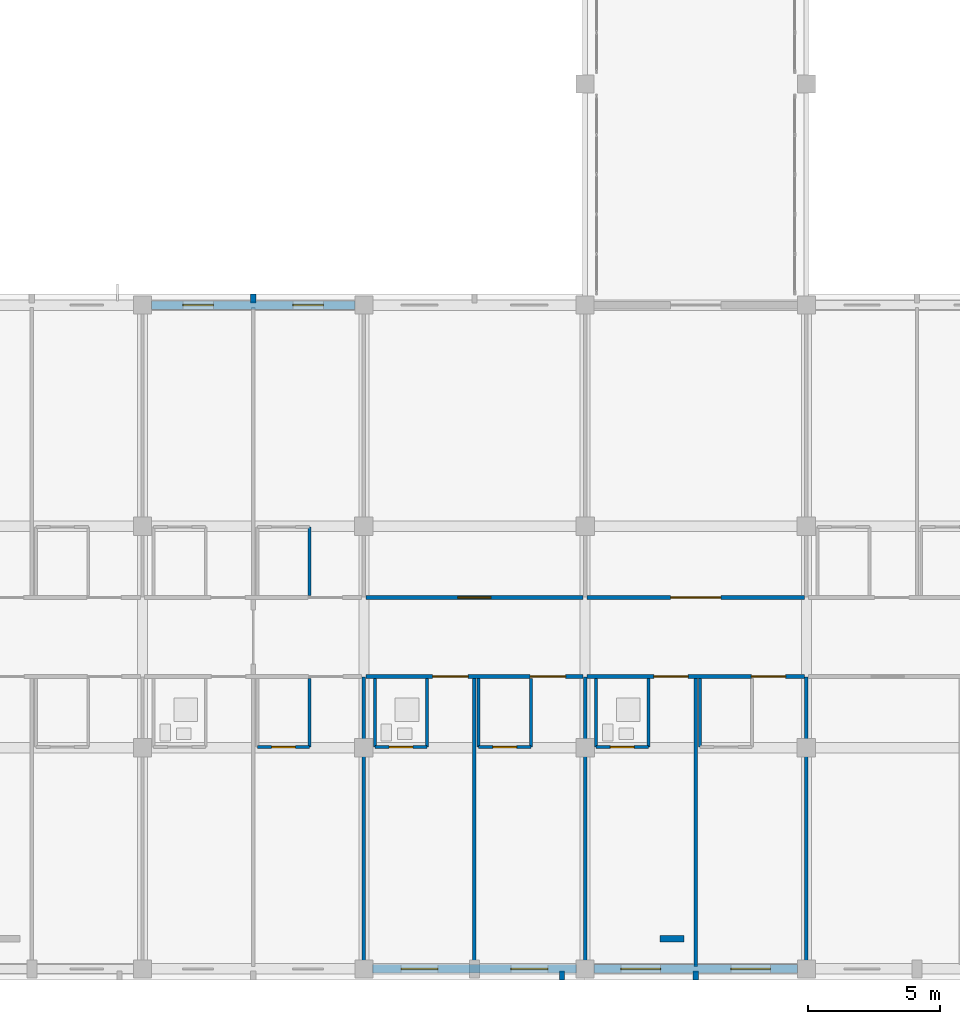
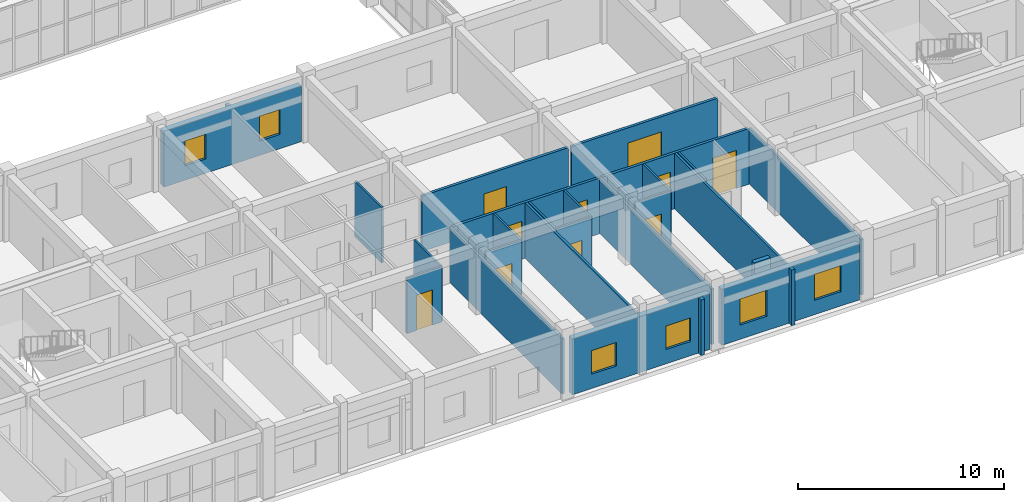
# One storey, part 110 of 140: 29 walls, 10 doors, 6 windows, 16 openings.
"""IFC4 building model written with IfcOpenShell, lengths in metres."""

from ifc_helpers import new_model, si_unit, direction, frame, frame_2d, origin, place, context, subcontext, project, spatial, rectangle, extrude, material, layer, layer_set, type_object, element, fill, save


model = new_model("IFC4")

# Units and contexts
model_context = context("Model", 3, precision=1e-05, world=origin(), true_north=direction((0.0, 1.0)))
body_context = subcontext(model_context, "Body", "Model", "MODEL_VIEW")
ifc_project = project(units=[si_unit("LENGTHUNIT", "METRE"), si_unit("AREAUNIT", "SQUARE_METRE"), si_unit("VOLUMEUNIT", "CUBIC_METRE"), si_unit("PLANEANGLEUNIT", "RADIAN"), si_unit("MASSUNIT", "GRAM", prefix="KILO")], contexts=[model_context])

# Site, building, storey
site_placement = place(None, origin())
site = spatial("IfcSite", under=ifc_project, at=site_placement, CompositionType="ELEMENT")
building_placement = place(site_placement, origin())
building = spatial("IfcBuilding", under=site, at=building_placement, Name="Trelvath General Hospital", CompositionType="ELEMENT")
storey_placement = place(building_placement, frame((0.0, 0.0, 16.199951171875)))
storey = spatial("IfcBuildingStorey", under=building, at=storey_placement, Name="L04", CompositionType="ELEMENT", Elevation=16.199951171875)

# Walls
ifc_material_1 = material(Name="Precast concrete C40/50", Category="concrete")
ifc_layer_1 = layer(ifc_material_1, 0.199951171875)
ifc_layer_set_1 = layer_set([ifc_layer_1], Name="Precast concrete C40/50")
wall_type_1 = type_object("IfcWallType", Name="BriseSoleilRib 200", PredefinedType="ELEMENTEDWALL", material=ifc_layer_set_1)
for number, where, z_axis, x_axis, name in (
    (1, (63.0, 25.27490234375, 0.0), (0.0, 0.0, 1.0), (0.0, 1.0, 0.0), "Precast Concrete Brise-Soleil Rib Fin L04-327"),
    (2, (74.723876953125, -0.074951171875, 0.0), (0.0, 0.0, 1.0), (0.0, -1.0, 0.0), "Precast Concrete Brise-Soleil Rib Fin L04-330"),
    (3, (79.800048828125, -0.074951171875, 0.0), (0.0, 0.0, 1.0), (0.0, -1.0, 0.0), "Precast Concrete Brise-Soleil Rib Fin L04-334"),
):
    element("IfcWall", number, at=place(storey_placement, frame(where, z_axis=z_axis, x_axis=x_axis)), inside=storey, type_object=wall_type_1, Name=name, PredefinedType="ELEMENTEDWALL", context=body_context, shape_type="SweptSolid", body=[
        extrude(rectangle(XDim=0.340087890625, YDim=0.199951171875, at=frame_2d((0.169921875, 0.0))), origin(), (0.0, 0.0, 1.0), 3.300048828125),
    ])

# Wall, openings, doors
ifc_material_2 = material(Name="Gypsum acoustic steel-stud partition", Category="steel")
ifc_layer_2 = layer(ifc_material_2, 0.14990234375)
ifc_layer_set_2 = layer_set([ifc_layer_2], Name="Gypsum acoustic steel-stud partition")
wall_type_2 = type_object("IfcWallType", Name="ClinicalPartition 150", PredefinedType="PARTITIONING", material=ifc_layer_set_2)
wall_1_placement = place(storey_placement, frame((67.280029296875, 11.10009765625, 0.0), z_axis=(0.0, 0.0, 1.0), x_axis=(1.0, 0.0, 0.0)))
wall_1 = element("IfcWall", 4, at=wall_1_placement, inside=storey, type_object=wall_type_2, Name="Corridor Partition L04-1485", PredefinedType="PARTITIONING", context=body_context, shape_type="SweptSolid", body=[
    extrude(rectangle(XDim=8.239990234375, YDim=0.14990234375, at=frame_2d((4.1201171875, 0.0))), origin(), (0.0, 0.0, 1.0), 3.300048828125),
])
opening_1_placement = place(wall_1_placement, frame((2.530029296875, 0.0, 0.0)))
opening_1 = element("IfcOpeningElement", 5, at=opening_1_placement, cuts=wall_1, Name="Opening D-4-1031", PredefinedType="OPENING", context=body_context, shape_type="SweptSolid", body=[
    extrude(rectangle(XDim=1.35009765625, YDim=2.25, at=frame_2d((0.675048828125, 1.125))), frame((0.0, 0.0849609375, 0.0), z_axis=(0.0, -1.0, 0.0), x_axis=(1.0, 0.0, 0.0)), (0.0, 0.0, 1.0), 0.169921875),
])
opening_2_placement = place(wall_1_placement, frame((6.22998046875, 0.0, 0.0)))
opening_2 = element("IfcOpeningElement", 6, at=opening_2_placement, cuts=wall_1, Name="Opening D-4-1032", PredefinedType="OPENING", context=body_context, shape_type="SweptSolid", body=[
    extrude(rectangle(XDim=1.35009765625, YDim=2.25, at=frame_2d((0.675048828125, 1.125))), frame((0.0, 0.0849609375, 0.0), z_axis=(0.0, -1.0, 0.0), x_axis=(1.0, 0.0, 0.0)), (0.0, 0.0, 1.0), 0.169921875),
])
ifc_material_3 = material(Name="Airtight isolation bed door")
door_type_1 = type_object("IfcDoorType", Name="Door PatientIso 1350x2250", OperationType="NOTDEFINED", PredefinedType="DOOR", material=ifc_material_3)
door_1_placement = place(opening_1_placement, origin())
door_1 = element("IfcDoor", 7, at=door_1_placement, inside=storey, type_object=door_type_1, Name="Patient Room Door L04-1031", OperationType="SINGLE_SWING_RIGHT", OverallHeight=2.25, OverallWidth=1.35009765625, PredefinedType="DOOR", context=body_context, shape_type="SweptSolid", body=[
    extrude(rectangle(XDim=1.35009765625, YDim=2.25, at=frame_2d((0.675048828125, 1.125))), frame((0.0, 0.02490234375, 0.0), z_axis=(0.0, -1.0, 0.0), x_axis=(1.0, 0.0, 0.0)), (0.0, 0.0, 1.0), 0.050048828125),
])
fill(opening_1, door_1)
door_2_placement = place(opening_2_placement, origin())
door_2 = element("IfcDoor", 8, at=door_2_placement, inside=storey, type_object=door_type_1, Name="Patient Room Door L04-1032", OperationType="SINGLE_SWING_LEFT", OverallHeight=2.25, OverallWidth=1.35009765625, PredefinedType="DOOR", context=body_context, shape_type="SweptSolid", body=[
    extrude(rectangle(XDim=1.35009765625, YDim=2.25, at=frame_2d((0.675048828125, 1.125))), frame((0.0, 0.02490234375, 0.0), z_axis=(0.0, -1.0, 0.0), x_axis=(1.0, 0.0, 0.0)), (0.0, 0.0, 1.0), 0.050048828125),
])
fill(opening_2, door_2)

# Wall, opening, door
wall_2_placement = place(storey_placement, frame((75.52001953125, 14.10009765625, 0.0), z_axis=(0.0, 0.0, 1.0), x_axis=(-1.0, 0.0, 0.0)))
wall_2 = element("IfcWall", 9, at=wall_2_placement, inside=storey, type_object=wall_type_2, Name="Corridor Partition N L04-1493", PredefinedType="PARTITIONING", context=body_context, shape_type="SweptSolid", body=[
    extrude(rectangle(XDim=8.239990234375, YDim=0.14990234375, at=frame_2d((4.1201171875, 0.0))), origin(), (0.0, 0.0, 1.0), 3.300048828125),
])
opening_3_placement = place(wall_2_placement, frame((3.4951171875, 0.0, 0.0)))
opening_3 = element("IfcOpeningElement", 10, at=opening_3_placement, cuts=wall_2, Name="Opening D-4-1035", PredefinedType="OPENING", context=body_context, shape_type="SweptSolid", body=[
    extrude(rectangle(XDim=1.25, YDim=2.199951171875, at=frame_2d((0.625, 1.10009765625))), frame((0.0, 0.0849609375, 0.0), z_axis=(0.0, -1.0, 0.0), x_axis=(1.0, 0.0, 0.0)), (0.0, 0.0, 1.0), 0.169921875),
])
ifc_material_4 = material(Name="Acoustic hospital timber leaf", Category="wood")
door_type_2 = type_object("IfcDoorType", Name="Door Treatment 1250x2200", OperationType="NOTDEFINED", PredefinedType="DOOR", material=ifc_material_4)
door_3_placement = place(opening_3_placement, origin())
door_3 = element("IfcDoor", 11, at=door_3_placement, inside=storey, type_object=door_type_2, Name="Clinical Room Door L04-1035", OperationType="SINGLE_SWING_RIGHT", OverallHeight=2.199951171875, OverallWidth=1.25, PredefinedType="DOOR", context=body_context, shape_type="SweptSolid", body=[
    extrude(rectangle(XDim=1.25, YDim=2.199951171875, at=frame_2d((0.625, 1.10009765625))), frame((0.0, 0.02490234375, 0.0), z_axis=(0.0, -1.0, 0.0), x_axis=(1.0, 0.0, 0.0)), (0.0, 0.0, 1.0), 0.050048828125),
])
fill(opening_3, door_3)

# Wall, openings, doors
wall_3_placement = place(storey_placement, frame((75.679931640625, 11.10009765625, 0.0), z_axis=(0.0, 0.0, 1.0), x_axis=(1.0, 0.0, 0.0)))
wall_3 = element("IfcWall", 12, at=wall_3_placement, inside=storey, type_object=wall_type_2, Name="Corridor Partition L04-1496", PredefinedType="PARTITIONING", context=body_context, shape_type="SweptSolid", body=[
    extrude(rectangle(XDim=8.239990234375, YDim=0.14990234375, at=frame_2d((4.1201171875, 0.0))), origin(), (0.0, 0.0, 1.0), 3.300048828125),
])
opening_4_placement = place(wall_3_placement, frame((2.530029296875, 0.0, 0.0)))
opening_4 = element("IfcOpeningElement", 13, at=opening_4_placement, cuts=wall_3, Name="Opening D-4-1036", PredefinedType="OPENING", context=body_context, shape_type="SweptSolid", body=[
    extrude(rectangle(XDim=1.300048828125, YDim=2.25, at=frame_2d((0.64990234375, 1.125))), frame((0.0, 0.0849609375, 0.0), z_axis=(0.0, -1.0, 0.0), x_axis=(1.0, 0.0, 0.0)), (0.0, 0.0, 1.0), 0.169921875),
])
opening_5_placement = place(wall_3_placement, frame((6.22998046875, 0.0, 0.0)))
opening_5 = element("IfcOpeningElement", 14, at=opening_5_placement, cuts=wall_3, Name="Opening D-4-1037", PredefinedType="OPENING", context=body_context, shape_type="SweptSolid", body=[
    extrude(rectangle(XDim=1.300048828125, YDim=2.25, at=frame_2d((0.64990234375, 1.125))), frame((0.0, 0.0849609375, 0.0), z_axis=(0.0, -1.0, 0.0), x_axis=(1.0, 0.0, 0.0)), (0.0, 0.0, 1.0), 0.169921875),
])
ifc_material_5 = material(Name="Hospital bed-leaf timber door", Category="wood")
door_type_3 = type_object("IfcDoorType", Name="Door PatientBed 1300x2250", OperationType="NOTDEFINED", PredefinedType="DOOR", material=ifc_material_5)
door_4_placement = place(opening_4_placement, origin())
door_4 = element("IfcDoor", 15, at=door_4_placement, inside=storey, type_object=door_type_3, Name="Patient Room Door L04-1036", OperationType="SINGLE_SWING_LEFT", OverallHeight=2.25, OverallWidth=1.300048828125, PredefinedType="DOOR", context=body_context, shape_type="SweptSolid", body=[
    extrude(rectangle(XDim=1.300048828125, YDim=2.25, at=frame_2d((0.64990234375, 1.125))), frame((0.0, 0.02490234375, 0.0), z_axis=(0.0, -1.0, 0.0), x_axis=(1.0, 0.0, 0.0)), (0.0, 0.0, 1.0), 0.050048828125),
])
fill(opening_4, door_4)
door_5_placement = place(opening_5_placement, origin())
door_5 = element("IfcDoor", 16, at=door_5_placement, inside=storey, type_object=door_type_3, Name="Patient Room Door L04-1037", OperationType="SINGLE_SWING_RIGHT", OverallHeight=2.25, OverallWidth=1.300048828125, PredefinedType="DOOR", context=body_context, shape_type="SweptSolid", body=[
    extrude(rectangle(XDim=1.300048828125, YDim=2.25, at=frame_2d((0.64990234375, 1.125))), frame((0.0, 0.02490234375, 0.0), z_axis=(0.0, -1.0, 0.0), x_axis=(1.0, 0.0, 0.0)), (0.0, 0.0, 1.0), 0.050048828125),
])
fill(opening_5, door_5)

# Wall, opening, door
wall_4_placement = place(storey_placement, frame((83.919921875, 14.10009765625, 0.0), z_axis=(0.0, 0.0, 1.0), x_axis=(-1.0, 0.0, 0.0)))
wall_4 = element("IfcWall", 17, at=wall_4_placement, inside=storey, type_object=wall_type_2, Name="Corridor Partition N L04-1505", PredefinedType="PARTITIONING", context=body_context, shape_type="SweptSolid", body=[
    extrude(rectangle(XDim=8.239990234375, YDim=0.14990234375, at=frame_2d((4.1201171875, 0.0))), origin(), (0.0, 0.0, 1.0), 3.300048828125),
])
opening_6_placement = place(wall_4_placement, frame((3.169921875, 0.0, 0.0)))
opening_6 = element("IfcOpeningElement", 18, at=opening_6_placement, cuts=wall_4, Name="Opening D-4-1040", PredefinedType="OPENING", context=body_context, shape_type="SweptSolid", body=[
    extrude(rectangle(XDim=1.89990234375, YDim=2.39990234375, at=frame_2d((0.949951171875, 1.199951171875))), frame((0.0, 0.0849609375, 0.0), z_axis=(0.0, -1.0, 0.0), x_axis=(1.0, 0.0, 0.0)), (0.0, 0.0, 1.0), 0.169921875),
])
ifc_material_6 = material(Name="Thermally broken glazed aluminium pair", Category="aluminium")
door_type_4 = type_object("IfcDoorType", Name="Door BridgeEntry 1900x2400", OperationType="DOUBLE_SWING_LEFT", PredefinedType="DOOR", material=ifc_material_6)
door_6_placement = place(opening_6_placement, origin())
door_6 = element("IfcDoor", 19, at=door_6_placement, inside=storey, type_object=door_type_4, Name="Bridge Lounge Corridor Door N L04-1040", OperationType="DOUBLE_SWING_LEFT", OverallHeight=2.39990234375, OverallWidth=1.89990234375, PredefinedType="DOOR", context=body_context, shape_type="SweptSolid", body=[
    extrude(rectangle(XDim=1.89990234375, YDim=2.39990234375, at=frame_2d((0.949951171875, 1.199951171875))), frame((0.0, 0.02490234375, 0.0), z_axis=(0.0, -1.0, 0.0), x_axis=(1.0, 0.0, 0.0)), (0.0, 0.0, 1.0), 0.050048828125),
])
fill(opening_6, door_6)

# Wall
ifc_material_7 = material(Name="Moisture-resistant tile partition")
ifc_layer_3 = layer(ifc_material_7, 0.110107421875)
ifc_layer_set_3 = layer_set([ifc_layer_3], Name="Moisture-resistant tile partition")
wall_type_3 = type_object("IfcWallType", Name="EnSuiteWetWall 110", PredefinedType="PARTITIONING", material=ifc_layer_set_3)
wall_5_placement = place(storey_placement, frame((65.139892578125, 8.419921875, 0.0), z_axis=(0.0, 0.0, 1.0), x_axis=(0.0, 1.0, 0.0)))
element("IfcWall", 20, at=wall_5_placement, inside=storey, type_object=wall_type_3, Name="En-Suite E Wall L04-1472", PredefinedType="PARTITIONING", context=body_context, shape_type="SweptSolid", body=[
    extrude(rectangle(XDim=2.610107421875, YDim=0.110107421875, at=frame_2d((1.30517578125, 0.0))), origin(), (0.0, 0.0, 1.0), 3.300048828125),
])

# Wall, opening, door
wall_6_placement = place(storey_placement, frame((63.159912109375, 8.419921875, 0.0), z_axis=(0.0, 0.0, 1.0), x_axis=(1.0, 0.0, 0.0)))
wall_6 = element("IfcWall", 21, at=wall_6_placement, inside=storey, type_object=wall_type_3, Name="En-Suite Bathroom Partition L04-1473", PredefinedType="PARTITIONING", context=body_context, shape_type="SweptSolid", body=[
    extrude(rectangle(XDim=1.97998046875, YDim=0.110107421875, at=frame_2d((0.989990234375, 0.0))), origin(), (0.0, 0.0, 1.0), 3.300048828125),
])
opening_7_placement = place(wall_6_placement, frame((0.5400390625, 0.0, 0.0)))
opening_7 = element("IfcOpeningElement", 22, at=opening_7_placement, cuts=wall_6, Name="Opening D-4-1025", PredefinedType="OPENING", context=body_context, shape_type="SweptSolid", body=[
    extrude(rectangle(XDim=0.89990234375, YDim=2.10009765625, at=frame_2d((0.449951171875, 1.050048828125))), frame((0.0, 0.06494140625, 0.0), z_axis=(0.0, -1.0, 0.0), x_axis=(1.0, 0.0, 0.0)), (0.0, 0.0, 1.0), 0.130126953125),
])
ifc_material_8 = material(Name="Moisture-sealed timber leaf", Category="wood")
door_type_5 = type_object("IfcDoorType", Name="Door EnSuite 900x2100", OperationType="NOTDEFINED", PredefinedType="DOOR", material=ifc_material_8)
door_7_placement = place(opening_7_placement, origin())
door_7 = element("IfcDoor", 23, at=door_7_placement, inside=storey, type_object=door_type_5, Name="En-Suite Bathroom Door L04-1025", OperationType="SINGLE_SWING_RIGHT", OverallHeight=2.10009765625, OverallWidth=0.89990234375, PredefinedType="DOOR", context=body_context, shape_type="SweptSolid", body=[
    extrude(rectangle(XDim=0.89990234375, YDim=2.10009765625, at=frame_2d((0.449951171875, 1.050048828125))), frame((0.0, 0.02490234375, 0.0), z_axis=(0.0, -1.0, 0.0), x_axis=(1.0, 0.0, 0.0)), (0.0, 0.0, 1.0), 0.050048828125),
])
fill(opening_7, door_7)

# Walls
for number, where, z_axis, x_axis, name in (
    (24, (65.139892578125, 14.169921875, 0.0), (0.0, 0.0, 1.0), (0.0, 1.0, 0.0), "En-Suite E Wall N L04-1480"),
    (25, (67.6201171875, 8.419921875, 0.0), (0.0, 0.0, 1.0), (0.0, 1.0, 0.0), "En-Suite W Wall L04-1487"),
    (26, (69.60009765625, 8.419921875, 0.0), (0.0, 0.0, 1.0), (0.0, 1.0, 0.0), "En-Suite E Wall L04-1488"),
):
    element("IfcWall", number, at=place(storey_placement, frame(where, z_axis=z_axis, x_axis=x_axis)), inside=storey, type_object=wall_type_3, Name=name, PredefinedType="PARTITIONING", context=body_context, shape_type="SweptSolid", body=[
        extrude(rectangle(XDim=2.610107421875, YDim=0.110107421875, at=frame_2d((1.30517578125, 0.0))), origin(), (0.0, 0.0, 1.0), 3.300048828125),
    ])

# Wall, opening, door
wall_7_placement = place(storey_placement, frame((67.6201171875, 8.419921875, 0.0), z_axis=(0.0, 0.0, 1.0), x_axis=(1.0, 0.0, 0.0)))
wall_7 = element("IfcWall", 27, at=wall_7_placement, inside=storey, type_object=wall_type_3, Name="En-Suite Bathroom Partition L04-1489", PredefinedType="PARTITIONING", context=body_context, shape_type="SweptSolid", body=[
    extrude(rectangle(XDim=1.97998046875, YDim=0.110107421875, at=frame_2d((0.989990234375, 0.0))), origin(), (0.0, 0.0, 1.0), 3.300048828125),
])
opening_8_placement = place(wall_7_placement, frame((0.5400390625, 0.0, 0.0)))
opening_8 = element("IfcOpeningElement", 28, at=opening_8_placement, cuts=wall_7, Name="Opening D-4-1033", PredefinedType="OPENING", context=body_context, shape_type="SweptSolid", body=[
    extrude(rectangle(XDim=0.89990234375, YDim=2.10009765625, at=frame_2d((0.449951171875, 1.050048828125))), frame((0.0, 0.06494140625, 0.0), z_axis=(0.0, -1.0, 0.0), x_axis=(1.0, 0.0, 0.0)), (0.0, 0.0, 1.0), 0.130126953125),
])
door_8_placement = place(opening_8_placement, origin())
door_8 = element("IfcDoor", 29, at=door_8_placement, inside=storey, type_object=door_type_5, Name="En-Suite Bathroom Door L04-1033", OperationType="SINGLE_SWING_RIGHT", OverallHeight=2.10009765625, OverallWidth=0.89990234375, PredefinedType="DOOR", context=body_context, shape_type="SweptSolid", body=[
    extrude(rectangle(XDim=0.89990234375, YDim=2.10009765625, at=frame_2d((0.449951171875, 1.050048828125))), frame((0.0, 0.02490234375, 0.0), z_axis=(0.0, -1.0, 0.0), x_axis=(1.0, 0.0, 0.0)), (0.0, 0.0, 1.0), 0.050048828125),
])
fill(opening_8, door_8)

# Walls
for number, where, z_axis, x_axis, name in (
    (30, (71.56005859375, 8.419921875, 0.0), (0.0, 0.0, 1.0), (0.0, 1.0, 0.0), "En-Suite W Wall L04-1490"),
    (31, (73.5400390625, 8.419921875, 0.0), (0.0, 0.0, 1.0), (0.0, 1.0, 0.0), "En-Suite E Wall L04-1491"),
):
    element("IfcWall", number, at=place(storey_placement, frame(where, z_axis=z_axis, x_axis=x_axis)), inside=storey, type_object=wall_type_3, Name=name, PredefinedType="PARTITIONING", context=body_context, shape_type="SweptSolid", body=[
        extrude(rectangle(XDim=2.610107421875, YDim=0.110107421875, at=frame_2d((1.30517578125, 0.0))), origin(), (0.0, 0.0, 1.0), 3.300048828125),
    ])

# Wall, opening, door
wall_8_placement = place(storey_placement, frame((71.56005859375, 8.419921875, 0.0), z_axis=(0.0, 0.0, 1.0), x_axis=(1.0, 0.0, 0.0)))
wall_8 = element("IfcWall", 32, at=wall_8_placement, inside=storey, type_object=wall_type_3, Name="En-Suite Bathroom Partition L04-1492", PredefinedType="PARTITIONING", context=body_context, shape_type="SweptSolid", body=[
    extrude(rectangle(XDim=1.97998046875, YDim=0.110107421875, at=frame_2d((0.989990234375, 0.0))), origin(), (0.0, 0.0, 1.0), 3.300048828125),
])
opening_9_placement = place(wall_8_placement, frame((0.5400390625, 0.0, 0.0)))
opening_9 = element("IfcOpeningElement", 33, at=opening_9_placement, cuts=wall_8, Name="Opening D-4-1034", PredefinedType="OPENING", context=body_context, shape_type="SweptSolid", body=[
    extrude(rectangle(XDim=0.89990234375, YDim=2.10009765625, at=frame_2d((0.449951171875, 1.050048828125))), frame((0.0, 0.06494140625, 0.0), z_axis=(0.0, -1.0, 0.0), x_axis=(1.0, 0.0, 0.0)), (0.0, 0.0, 1.0), 0.130126953125),
])
door_9_placement = place(opening_9_placement, origin())
door_9 = element("IfcDoor", 34, at=door_9_placement, inside=storey, type_object=door_type_5, Name="En-Suite Bathroom Door L04-1034", OperationType="SINGLE_SWING_LEFT", OverallHeight=2.10009765625, OverallWidth=0.89990234375, PredefinedType="DOOR", context=body_context, shape_type="SweptSolid", body=[
    extrude(rectangle(XDim=0.89990234375, YDim=2.10009765625, at=frame_2d((0.449951171875, 1.050048828125))), frame((0.0, 0.02490234375, 0.0), z_axis=(0.0, -1.0, 0.0), x_axis=(1.0, 0.0, 0.0)), (0.0, 0.0, 1.0), 0.050048828125),
])
fill(opening_9, door_9)

# Walls
for number, where, z_axis, x_axis, name in (
    (35, (76.02001953125, 8.419921875, 0.0), (0.0, 0.0, 1.0), (0.0, 1.0, 0.0), "En-Suite W Wall L04-1498"),
    (36, (78.0, 8.419921875, 0.0), (0.0, 0.0, 1.0), (0.0, 1.0, 0.0), "En-Suite E Wall L04-1499"),
):
    element("IfcWall", number, at=place(storey_placement, frame(where, z_axis=z_axis, x_axis=x_axis)), inside=storey, type_object=wall_type_3, Name=name, PredefinedType="PARTITIONING", context=body_context, shape_type="SweptSolid", body=[
        extrude(rectangle(XDim=2.610107421875, YDim=0.110107421875, at=frame_2d((1.30517578125, 0.0))), origin(), (0.0, 0.0, 1.0), 3.300048828125),
    ])

# Wall, opening, door
wall_9_placement = place(storey_placement, frame((76.02001953125, 8.419921875, 0.0), z_axis=(0.0, 0.0, 1.0), x_axis=(1.0, 0.0, 0.0)))
wall_9 = element("IfcWall", 37, at=wall_9_placement, inside=storey, type_object=wall_type_3, Name="En-Suite Bathroom Partition L04-1500", PredefinedType="PARTITIONING", context=body_context, shape_type="SweptSolid", body=[
    extrude(rectangle(XDim=1.97998046875, YDim=0.110107421875, at=frame_2d((0.989990234375, 0.0))), origin(), (0.0, 0.0, 1.0), 3.300048828125),
])
opening_10_placement = place(wall_9_placement, frame((0.5400390625, 0.0, 0.0)))
opening_10 = element("IfcOpeningElement", 38, at=opening_10_placement, cuts=wall_9, Name="Opening D-4-1038", PredefinedType="OPENING", context=body_context, shape_type="SweptSolid", body=[
    extrude(rectangle(XDim=0.89990234375, YDim=2.10009765625, at=frame_2d((0.449951171875, 1.050048828125))), frame((0.0, 0.06494140625, 0.0), z_axis=(0.0, -1.0, 0.0), x_axis=(1.0, 0.0, 0.0)), (0.0, 0.0, 1.0), 0.130126953125),
])
door_10_placement = place(opening_10_placement, origin())
door_10 = element("IfcDoor", 39, at=door_10_placement, inside=storey, type_object=door_type_5, Name="En-Suite Bathroom Door L04-1038", OperationType="SINGLE_SWING_LEFT", OverallHeight=2.10009765625, OverallWidth=0.89990234375, PredefinedType="DOOR", context=body_context, shape_type="SweptSolid", body=[
    extrude(rectangle(XDim=0.89990234375, YDim=2.10009765625, at=frame_2d((0.449951171875, 1.050048828125))), frame((0.0, 0.02490234375, 0.0), z_axis=(0.0, -1.0, 0.0), x_axis=(1.0, 0.0, 0.0)), (0.0, 0.0, 1.0), 0.050048828125),
])
fill(opening_10, door_10)

# Wall
wall_10_placement = place(storey_placement, frame((79.9599609375, 8.419921875, 0.0), z_axis=(0.0, 0.0, 1.0), x_axis=(0.0, 1.0, 0.0)))
element("IfcWall", 40, at=wall_10_placement, inside=storey, type_object=wall_type_3, Name="En-Suite W Wall L04-1501", PredefinedType="PARTITIONING", context=body_context, shape_type="SweptSolid", body=[
    extrude(rectangle(XDim=2.610107421875, YDim=0.110107421875, at=frame_2d((1.30517578125, 0.0))), origin(), (0.0, 0.0, 1.0), 3.300048828125),
])

# Wall, openings, windows
ifc_material_9 = material(Name="Concrete C35/45", Category="concrete")
ifc_layer_4 = layer(ifc_material_9, 0.320068359375)
ifc_layer_set_4 = layer_set([ifc_layer_4], Name="Concrete C35/45")
wall_type_4 = type_object("IfcWallType", Name="ExtThermalWall 320", PredefinedType="SOLIDWALL", material=ifc_layer_set_4)
wall_11_placement = place(storey_placement, frame((59.135009765625, 25.199951171875, 0.0), z_axis=(0.0, 0.0, 1.0), x_axis=(1.0, 0.0, 0.0)))
wall_11 = element("IfcWall", 41, at=wall_11_placement, inside=storey, type_object=wall_type_4, Name="Exterior Concrete Wall L04-445", PredefinedType="SOLIDWALL", context=body_context, shape_type="SweptSolid", body=[
    extrude(rectangle(XDim=7.72998046875, YDim=0.320068359375, at=frame_2d((3.864990234375, 0.0))), origin(), (0.0, 0.0, 1.0), 3.320068359375),
])
opening_11_placement = place(wall_11_placement, frame((1.197998046875, 0.0, 0.85009765625)))
opening_11 = element("IfcOpeningElement", 42, at=opening_11_placement, cuts=wall_11, Name="Opening WN-4-739", PredefinedType="OPENING", context=body_context, shape_type="SweptSolid", body=[
    extrude(rectangle(XDim=1.159912109375, YDim=1.47998046875, at=frame_2d((0.580078125, 0.739990234375))), frame((0.0, 0.169921875, 0.0), z_axis=(0.0, -1.0, 0.0), x_axis=(1.0, 0.0, 0.0)), (0.0, 0.0, 1.0), 0.340087890625),
])
opening_12_placement = place(wall_11_placement, frame((5.3720703125, 0.0, 0.85009765625)))
opening_12 = element("IfcOpeningElement", 43, at=opening_12_placement, cuts=wall_11, Name="Opening WN-4-740", PredefinedType="OPENING", context=body_context, shape_type="SweptSolid", body=[
    extrude(rectangle(XDim=1.159912109375, YDim=1.47998046875, at=frame_2d((0.580078125, 0.739990234375))), frame((0.0, 0.169921875, 0.0), z_axis=(0.0, -1.0, 0.0), x_axis=(1.0, 0.0, 0.0)), (0.0, 0.0, 1.0), 0.340087890625),
])
ifc_material_10 = material(Name="Low-E laminated glass", Category="glass")
window_type_1 = type_object("IfcWindowType", Name="Window Cardiology 1160x1480", PartitioningType="SINGLE_PANEL", PredefinedType="WINDOW", material=ifc_material_10)
window_1_placement = place(opening_11_placement, origin())
window_1 = element("IfcWindow", 44, at=window_1_placement, inside=storey, type_object=window_type_1, Name="Solar Reveal Window L04-739", OverallHeight=1.47998046875, OverallWidth=1.159912109375, PartitioningType="SINGLE_PANEL", PredefinedType="WINDOW", context=body_context, shape_type="SweptSolid", body=[
    extrude(rectangle(XDim=1.159912109375, YDim=1.47998046875, at=frame_2d((0.580078125, 0.739990234375))), frame((0.0, 0.030029296875, 0.0), z_axis=(0.0, -1.0, 0.0), x_axis=(1.0, 0.0, 0.0)), (0.0, 0.0, 1.0), 0.06005859375),
])
fill(opening_11, window_1)
window_2_placement = place(opening_12_placement, origin())
window_2 = element("IfcWindow", 45, at=window_2_placement, inside=storey, type_object=window_type_1, Name="Solar Reveal Window L04-740", OverallHeight=1.47998046875, OverallWidth=1.159912109375, PartitioningType="SINGLE_PANEL", PredefinedType="WINDOW", context=body_context, shape_type="SweptSolid", body=[
    extrude(rectangle(XDim=1.159912109375, YDim=1.47998046875, at=frame_2d((0.580078125, 0.739990234375))), frame((0.0, 0.030029296875, 0.0), z_axis=(0.0, -1.0, 0.0), x_axis=(1.0, 0.0, 0.0)), (0.0, 0.0, 1.0), 0.06005859375),
])
fill(opening_12, window_2)

wall_12_placement = place(storey_placement, frame((75.264892578125, 0.0, 0.0), z_axis=(0.0, 0.0, 1.0), x_axis=(-1.0, 0.0, 0.0)))
wall_12 = element("IfcWall", 46, at=wall_12_placement, inside=storey, type_object=wall_type_4, Name="Exterior Concrete Wall L04-448", PredefinedType="SOLIDWALL", context=body_context, shape_type="SweptSolid", body=[
    extrude(rectangle(XDim=7.72998046875, YDim=0.320068359375, at=frame_2d((3.864990234375, 0.0))), origin(), (0.0, 0.0, 1.0), 3.320068359375),
])
opening_13_placement = place(wall_12_placement, frame((1.077880859375, 0.0, 0.85009765625)))
opening_13 = element("IfcOpeningElement", 47, at=opening_13_placement, cuts=wall_12, Name="Opening WN-4-745", PredefinedType="OPENING", context=body_context, shape_type="SweptSolid", body=[
    extrude(rectangle(XDim=1.39990234375, YDim=1.39990234375, at=frame_2d((0.699951171875, 0.699951171875))), frame((0.0, 0.169921875, 0.0), z_axis=(0.0, -1.0, 0.0), x_axis=(1.0, 0.0, 0.0)), (0.0, 0.0, 1.0), 0.340087890625),
])
opening_14_placement = place(wall_12_placement, frame((5.252197265625, 0.0, 0.85009765625)))
opening_14 = element("IfcOpeningElement", 48, at=opening_14_placement, cuts=wall_12, Name="Opening WN-4-746", PredefinedType="OPENING", context=body_context, shape_type="SweptSolid", body=[
    extrude(rectangle(XDim=1.39990234375, YDim=1.39990234375, at=frame_2d((0.699951171875, 0.699951171875))), frame((0.0, 0.169921875, 0.0), z_axis=(0.0, -1.0, 0.0), x_axis=(1.0, 0.0, 0.0)), (0.0, 0.0, 1.0), 0.340087890625),
])
ifc_material_11 = material(Name="Low-E laminated glass", Category="glass")
window_type_2 = type_object("IfcWindowType", Name="Window Surgical 1400x1400", PartitioningType="DOUBLE_PANEL_VERTICAL", PredefinedType="WINDOW", material=ifc_material_11)
window_3_placement = place(opening_13_placement, origin())
window_3 = element("IfcWindow", 49, at=window_3_placement, inside=storey, type_object=window_type_2, Name="Solar Reveal Window L04-745", OverallHeight=1.39990234375, OverallWidth=1.39990234375, PartitioningType="SINGLE_PANEL", PredefinedType="WINDOW", context=body_context, shape_type="SweptSolid", body=[
    extrude(rectangle(XDim=1.39990234375, YDim=1.39990234375, at=frame_2d((0.699951171875, 0.699951171875))), frame((0.0, 0.030029296875, 0.0), z_axis=(0.0, -1.0, 0.0), x_axis=(1.0, 0.0, 0.0)), (0.0, 0.0, 1.0), 0.06005859375),
])
fill(opening_13, window_3)
window_4_placement = place(opening_14_placement, origin())
window_4 = element("IfcWindow", 50, at=window_4_placement, inside=storey, type_object=window_type_2, Name="Solar Reveal Window L04-746", OverallHeight=1.39990234375, OverallWidth=1.39990234375, PartitioningType="SINGLE_PANEL", PredefinedType="WINDOW", context=body_context, shape_type="SweptSolid", body=[
    extrude(rectangle(XDim=1.39990234375, YDim=1.39990234375, at=frame_2d((0.699951171875, 0.699951171875))), frame((0.0, 0.030029296875, 0.0), z_axis=(0.0, -1.0, 0.0), x_axis=(1.0, 0.0, 0.0)), (0.0, 0.0, 1.0), 0.06005859375),
])
fill(opening_14, window_4)

wall_13_placement = place(storey_placement, frame((83.6650390625, 0.0, 0.0), z_axis=(0.0, 0.0, 1.0), x_axis=(-1.0, 0.0, 0.0)))
wall_13 = element("IfcWall", 51, at=wall_13_placement, inside=storey, type_object=wall_type_4, Name="Exterior Concrete Wall L04-452", PredefinedType="SOLIDWALL", context=body_context, shape_type="SweptSolid", body=[
    extrude(rectangle(XDim=7.72998046875, YDim=0.320068359375, at=frame_2d((3.864990234375, 0.0))), origin(), (0.0, 0.0, 1.0), 3.320068359375),
])
opening_15_placement = place(wall_13_placement, frame((1.02783203125, 0.0, 0.85009765625)))
opening_15 = element("IfcOpeningElement", 52, at=opening_15_placement, cuts=wall_13, Name="Opening WN-4-753", PredefinedType="OPENING", context=body_context, shape_type="SweptSolid", body=[
    extrude(rectangle(XDim=1.5, YDim=1.550048828125, at=frame_2d((0.75, 0.77490234375))), frame((0.0, 0.169921875, 0.0), z_axis=(0.0, -1.0, 0.0), x_axis=(1.0, 0.0, 0.0)), (0.0, 0.0, 1.0), 0.340087890625),
])
opening_16_placement = place(wall_13_placement, frame((5.2021484375, 0.0, 0.85009765625)))
opening_16 = element("IfcOpeningElement", 53, at=opening_16_placement, cuts=wall_13, Name="Opening WN-4-754", PredefinedType="OPENING", context=body_context, shape_type="SweptSolid", body=[
    extrude(rectangle(XDim=1.5, YDim=1.550048828125, at=frame_2d((0.75, 0.77490234375))), frame((0.0, 0.169921875, 0.0), z_axis=(0.0, -1.0, 0.0), x_axis=(1.0, 0.0, 0.0)), (0.0, 0.0, 1.0), 0.340087890625),
])
ifc_material_12 = material(Name="Low-E laminated glass", Category="glass")
window_type_3 = type_object("IfcWindowType", Name="Window Ortho 1500x1550", PartitioningType="DOUBLE_PANEL_VERTICAL", PredefinedType="WINDOW", material=ifc_material_12)
window_5_placement = place(opening_15_placement, origin())
window_5 = element("IfcWindow", 54, at=window_5_placement, inside=storey, type_object=window_type_3, Name="Solar Reveal Window L04-753", OverallHeight=1.550048828125, OverallWidth=1.5, PartitioningType="SINGLE_PANEL", PredefinedType="WINDOW", context=body_context, shape_type="SweptSolid", body=[
    extrude(rectangle(XDim=1.5, YDim=1.550048828125, at=frame_2d((0.75, 0.77490234375))), frame((0.0, 0.030029296875, 0.0), z_axis=(0.0, -1.0, 0.0), x_axis=(1.0, 0.0, 0.0)), (0.0, 0.0, 1.0), 0.06005859375),
])
fill(opening_15, window_5)
window_6_placement = place(opening_16_placement, origin())
window_6 = element("IfcWindow", 55, at=window_6_placement, inside=storey, type_object=window_type_3, Name="Solar Reveal Window L04-754", OverallHeight=1.550048828125, OverallWidth=1.5, PartitioningType="SINGLE_PANEL", PredefinedType="WINDOW", context=body_context, shape_type="SweptSolid", body=[
    extrude(rectangle(XDim=1.5, YDim=1.550048828125, at=frame_2d((0.75, 0.77490234375))), frame((0.0, 0.030029296875, 0.0), z_axis=(0.0, -1.0, 0.0), x_axis=(1.0, 0.0, 0.0)), (0.0, 0.0, 1.0), 0.06005859375),
])
fill(opening_16, window_6)

# Walls
ifc_material_13 = material(Name="Masonry service chase blockwork", Category="masonry")
ifc_layer_5 = layer(ifc_material_13, 0.239990234375)
ifc_layer_set_5 = layer_set([ifc_layer_5], Name="Masonry service chase blockwork")
wall_type_5 = type_object("IfcWallType", Name="PlumbingChaseWall 240", PredefinedType="PLUMBINGWALL", material=ifc_layer_set_5)
wall_14_placement = place(storey_placement, frame((78.449951171875, 1.14990234375, 0.0), z_axis=(0.0, 0.0, 1.0), x_axis=(1.0, 0.0, 0.0)))
element("IfcWall", 56, at=wall_14_placement, inside=storey, type_object=wall_type_5, Name="Medical Gas Plumbing Chase L04-1504", PredefinedType="PLUMBINGWALL", context=body_context, shape_type="SweptSolid", body=[
    extrude(rectangle(XDim=0.900146484375, YDim=0.239990234375, at=frame_2d((0.4501953125, 0.0))), origin(), (0.0, 0.0, 1.0), 3.300048828125),
])
ifc_material_14 = material(Name="Gypsum acoustic steel-stud partition", Category="steel")
ifc_layer_6 = layer(ifc_material_14, 0.1298828125)
ifc_layer_set_6 = layer_set([ifc_layer_6], Name="Gypsum acoustic steel-stud partition")
wall_type_6 = type_object("IfcWallType", Name="WardPartition 130", PredefinedType="PARTITIONING", material=ifc_layer_set_6)
wall_15_placement = place(storey_placement, frame((67.199951171875, 0.139892578125, 0.0), z_axis=(0.0, 0.0, 1.0), x_axis=(0.0, 1.0, 0.0)))
element("IfcWall", 57, at=wall_15_placement, inside=storey, type_object=wall_type_6, Name="Inter-Bay Ward Partition S L04-1483", PredefinedType="PARTITIONING", context=body_context, shape_type="SweptSolid", body=[
    extrude(rectangle(XDim=10.940185546875, YDim=0.1298828125, at=frame_2d((5.47021484375, 0.0))), origin(), (0.0, 0.0, 1.0), 3.300048828125),
])
wall_16_placement = place(storey_placement, frame((71.39990234375, 0.10009765625, 0.0), z_axis=(0.0, 0.0, 1.0), x_axis=(0.0, 1.0, 0.0)))
element("IfcWall", 58, at=wall_16_placement, inside=storey, type_object=wall_type_6, Name="Room Dividing Partition S L04-1486", PredefinedType="PARTITIONING", context=body_context, shape_type="SweptSolid", body=[
    extrude(rectangle(XDim=10.929931640625, YDim=0.1298828125, at=frame_2d((5.46484375, 0.0))), origin(), (0.0, 0.0, 1.0), 3.300048828125),
])
wall_17_placement = place(storey_placement, frame((75.60009765625, 0.139892578125, 0.0), z_axis=(0.0, 0.0, 1.0), x_axis=(0.0, 1.0, 0.0)))
element("IfcWall", 59, at=wall_17_placement, inside=storey, type_object=wall_type_6, Name="Inter-Bay Ward Partition S L04-1494", PredefinedType="PARTITIONING", context=body_context, shape_type="SweptSolid", body=[
    extrude(rectangle(XDim=10.940185546875, YDim=0.1298828125, at=frame_2d((5.47021484375, 0.0))), origin(), (0.0, 0.0, 1.0), 3.300048828125),
])
wall_18_placement = place(storey_placement, frame((79.800048828125, 0.10009765625, 0.0), z_axis=(0.0, 0.0, 1.0), x_axis=(0.0, 1.0, 0.0)))
element("IfcWall", 60, at=wall_18_placement, inside=storey, type_object=wall_type_6, Name="Room Dividing Partition S L04-1497", PredefinedType="PARTITIONING", context=body_context, shape_type="SweptSolid", body=[
    extrude(rectangle(XDim=10.929931640625, YDim=0.1298828125, at=frame_2d((5.46484375, 0.0))), origin(), (0.0, 0.0, 1.0), 3.300048828125),
])
wall_19_placement = place(storey_placement, frame((84.0, 0.139892578125, 0.0), z_axis=(0.0, 0.0, 1.0), x_axis=(0.0, 1.0, 0.0)))
element("IfcWall", 61, at=wall_19_placement, inside=storey, type_object=wall_type_6, Name="Inter-Bay Ward Partition S L04-1506", PredefinedType="PARTITIONING", context=body_context, shape_type="SweptSolid", body=[
    extrude(rectangle(XDim=10.940185546875, YDim=0.1298828125, at=frame_2d((5.47021484375, 0.0))), origin(), (0.0, 0.0, 1.0), 3.300048828125),
])

save(model, "model.ifc")
